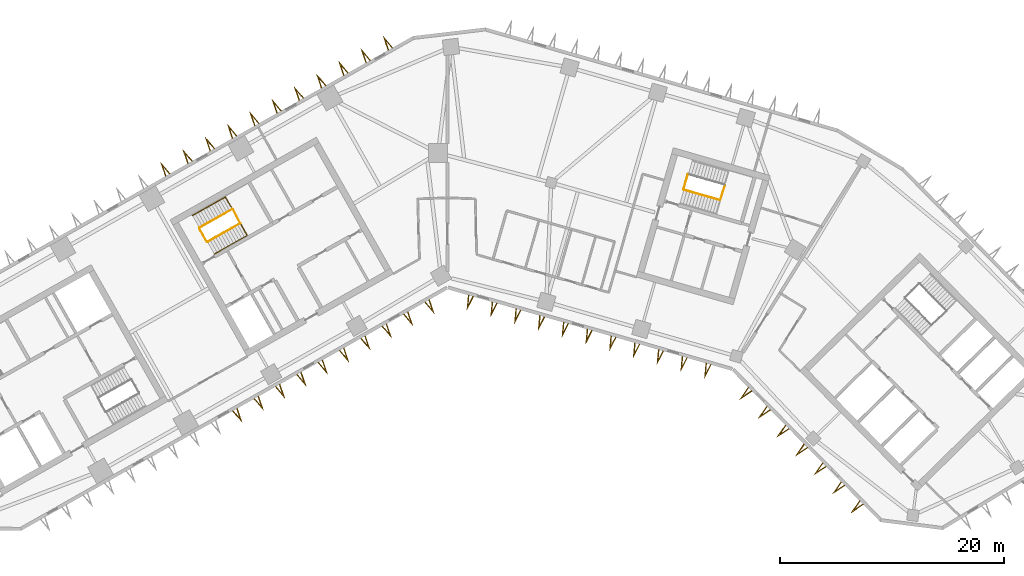
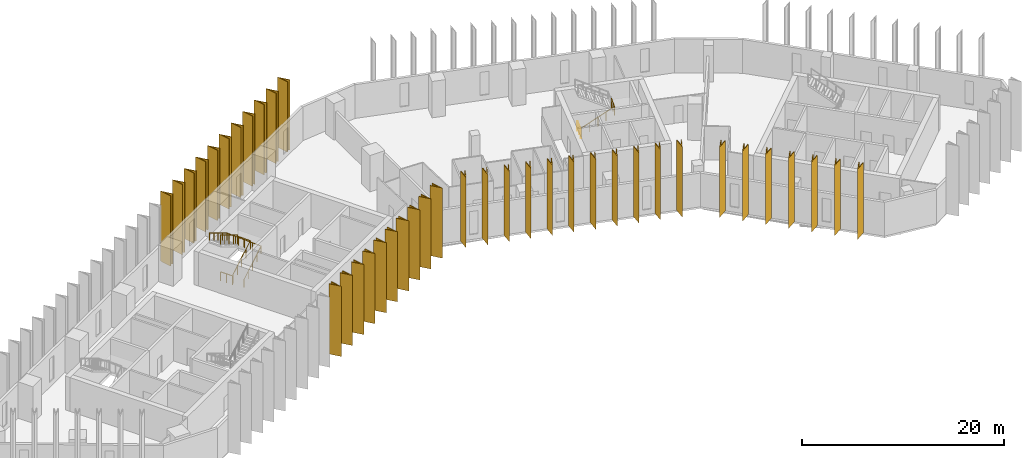
# One storey, part 10 of 11: 39 shading devices, 6 railings.
"""IFC4 building model written with IfcOpenShell, lengths in metres."""

from ifc_helpers import new_model, si_unit, direction, frame, origin, origin_2d, place, context, subcontext, project, spatial, polyline, circle, outline, extrude, material, type_object, element, save


model = new_model("IFC4")

# Units and contexts
model_context = context("Model", 3, precision=1e-05, world=origin(), true_north=direction((0.0, 1.0)))
body_context = subcontext(model_context, "Body", "Model", "MODEL_VIEW")
ifc_project = project(units=[si_unit("LENGTHUNIT", "METRE"), si_unit("AREAUNIT", "SQUARE_METRE"), si_unit("VOLUMEUNIT", "CUBIC_METRE"), si_unit("PLANEANGLEUNIT", "RADIAN"), si_unit("MASSUNIT", "GRAM", prefix="KILO")], contexts=[model_context])

# Site, building, storey
site_placement = place(None, origin())
site = spatial("IfcSite", under=ifc_project, at=site_placement, CompositionType="ELEMENT")
building_placement = place(site_placement, origin())
building = spatial("IfcBuilding", under=site, at=building_placement, Name="Binnacle Exchange Tower", CompositionType="ELEMENT")
storey_placement = place(building_placement, frame((0.0, 0.0, 123.5)))
storey = spatial("IfcBuildingStorey", under=building, at=storey_placement, Name="L25", CompositionType="ELEMENT", Elevation=123.5)

# Railings
ifc_material_1 = material(Name="Steel guard rail", Category="steel")
railing_type_1 = type_object("IfcRailingType", Name="STAIR GUARD 1100", PredefinedType="GUARDRAIL", material=ifc_material_1)
railing_1_placement = place(storey_placement, frame((-21.423828125, 52.07275390625, 0.169189453125)))
element("IfcRailing", 1, at=railing_1_placement, inside=storey, type_object=railing_type_1, Name="L25 STC1 stair guard 1", PredefinedType="GUARDRAIL", context=body_context, shape_type="SweptSolid", body=[
    extrude(circle(Radius=0.02392578125, at=origin_2d()), frame((0.0, 0.0, 1.076171875), z_axis=(0.744895141965, 0.421417011194, 0.517241655469), x_axis=(-0.49240197835, 0.870367905955, 0.0)), (0.0, 0.0, 1.0), 3.926025390625),
    extrude(circle(Radius=0.02392578125, at=origin_2d()), frame((2.924560546875, 1.654541015625, 3.10693359375), z_axis=(-0.461171632143, 0.887310952094, 0.0), x_axis=(-0.887310952094, -0.461171632143, 0.0)), (0.0, 0.0, 1.0), 1.40087890625),
    extrude(circle(Radius=0.02099609375, at=origin_2d()), origin(), (0.0, 0.0, 1.0), 1.052001953125),
    extrude(circle(Radius=0.02099609375, at=origin_2d()), frame((0.731201171875, 0.41357421875, 0.5078125)), (0.0, 0.0, 1.0), 1.052001953125),
    extrude(circle(Radius=0.02099609375, at=origin_2d()), frame((1.46240234375, 0.8271484375, 1.015380859375)), (0.0, 0.0, 1.0), 1.052001953125),
    extrude(circle(Radius=0.02099609375, at=origin_2d()), frame((2.193359375, 1.240966796875, 1.52294921875)), (0.0, 0.0, 1.0), 1.052001953125),
    extrude(circle(Radius=0.02099609375, at=origin_2d()), frame((2.924560546875, 1.654541015625, 2.03076171875)), (0.0, 0.0, 1.0), 1.052001953125),
    extrude(circle(Radius=0.02099609375, at=origin_2d()), frame((2.6015625, 2.27587890625, 2.03076171875)), (0.0, 0.0, 1.0), 1.052001953125),
    extrude(circle(Radius=0.02099609375, at=origin_2d()), frame((2.278564453125, 2.8974609375, 2.03076171875)), (0.0, 0.0, 1.0), 1.052001953125),
])
railing_2_placement = place(storey_placement, frame((-19.21337890625, 54.9892578125, 2.369140625)))
element("IfcRailing", 2, at=railing_2_placement, inside=storey, type_object=railing_type_1, Name="L25 STC1 stair guard 2", PredefinedType="GUARDRAIL", context=body_context, shape_type="SweptSolid", body=[
    extrude(circle(Radius=0.02392578125, at=origin_2d()), frame((0.0, 0.0, 1.076171875), z_axis=(-0.744867460262, -0.421436531824, 0.517265614832), x_axis=(0.492433119026, -0.870350287693, 0.0)), (0.0, 0.0, 1.0), 3.926025390625),
    extrude(circle(Radius=0.02099609375, at=origin_2d()), origin(), (0.0, 0.0, 1.0), 1.052001953125),
    extrude(circle(Radius=0.02099609375, at=origin_2d()), frame((-0.73095703125, -0.41357421875, 0.5078125)), (0.0, 0.0, 1.0), 1.052001953125),
    extrude(circle(Radius=0.02099609375, at=origin_2d()), frame((-1.462158203125, -0.8271484375, 1.015380859375)), (0.0, 0.0, 1.0), 1.052001953125),
    extrude(circle(Radius=0.02099609375, at=origin_2d()), frame((-2.193359375, -1.240966796875, 1.52294921875)), (0.0, 0.0, 1.0), 1.052001953125),
    extrude(circle(Radius=0.02099609375, at=origin_2d()), frame((-2.92431640625, -1.654541015625, 2.03076171875)), (0.0, 0.0, 1.0), 1.052001953125),
])
railing_3_placement = place(storey_placement, frame((-21.491943359375, 52.091552734375, 0.0)))
element("IfcRailing", 3, at=railing_3_placement, inside=storey, type_object=railing_type_1, Name="L25 STC1 stair guard 3", PredefinedType="GUARDRAIL", context=body_context, shape_type="SweptSolid", body=[
    extrude(circle(Radius=0.02392578125, at=origin_2d()), frame((0.0, 0.0, 1.076171875), z_axis=(-0.49241474071, 0.870360685654, 0.0), x_axis=(-0.870360685654, -0.49241474071, 0.0)), (0.0, 0.0, 1.0), 1.35009765625),
    extrude(circle(Radius=0.02099609375, at=origin_2d()), origin(), (0.0, 0.0, 1.0), 1.052001953125),
    extrude(circle(Radius=0.02099609375, at=origin_2d()), frame((-0.33251953125, 0.58740234375, 0.0)), (0.0, 0.0, 1.0), 1.052001953125),
    extrude(circle(Radius=0.02099609375, at=origin_2d()), frame((-0.664794921875, 1.175048828125, 0.0)), (0.0, 0.0, 1.0), 1.052001953125),
])
railing_4_placement = place(storey_placement, frame((21.086669921875, 56.71044921875, 0.169189453125)))
element("IfcRailing", 4, at=railing_4_placement, inside=storey, type_object=railing_type_1, Name="L25 STD1 stair guard 1", PredefinedType="GUARDRAIL", context=body_context, shape_type="SweptSolid", body=[
    extrude(circle(Radius=0.02392578125, at=origin_2d()), frame((0.0, 0.0, 1.076171875), z_axis=(0.82266146106, -0.235934506256, 0.517264950721), x_axis=(0.27568068152, 0.961249271436, 0.0)), (0.0, 0.0, 1.0), 3.926025390625),
    extrude(circle(Radius=0.02392578125, at=origin_2d()), frame((3.229736328125, -0.92626953125, 3.10693359375), z_axis=(0.309842533299, 0.950787886208, 0.0), x_axis=(-0.950787886208, 0.309842533299, 0.0)), (0.0, 0.0, 1.0), 1.40087890625),
    extrude(circle(Radius=0.02099609375, at=origin_2d()), origin(), (0.0, 0.0, 1.0), 1.052001953125),
    extrude(circle(Radius=0.02099609375, at=origin_2d()), frame((0.807373046875, -0.2314453125, 0.5078125)), (0.0, 0.0, 1.0), 1.052001953125),
    extrude(circle(Radius=0.02099609375, at=origin_2d()), frame((1.61474609375, -0.463134765625, 1.015380859375)), (0.0, 0.0, 1.0), 1.052001953125),
    extrude(circle(Radius=0.02099609375, at=origin_2d()), frame((2.42236328125, -0.69482421875, 1.52294921875)), (0.0, 0.0, 1.0), 1.052001953125),
    extrude(circle(Radius=0.02099609375, at=origin_2d()), frame((3.229736328125, -0.92626953125, 2.03076171875)), (0.0, 0.0, 1.0), 1.052001953125),
    extrude(circle(Radius=0.02099609375, at=origin_2d()), frame((3.44677734375, -0.26025390625, 2.03076171875)), (0.0, 0.0, 1.0), 1.052001953125),
    extrude(circle(Radius=0.02099609375, at=origin_2d()), frame((3.663818359375, 0.40576171875, 2.03076171875)), (0.0, 0.0, 1.0), 1.052001953125),
])
railing_5_placement = place(storey_placement, frame((21.05224609375, 56.772216796875, 0.0)))
element("IfcRailing", 5, at=railing_5_placement, inside=storey, type_object=railing_type_1, Name="L25 STD1 stair guard 3", PredefinedType="GUARDRAIL", context=body_context, shape_type="SweptSolid", body=[
    extrude(circle(Radius=0.02392578125, at=origin_2d()), frame((0.0, 0.0, 1.076171875), z_axis=(0.275795817769, 0.961216243569, 0.0), x_axis=(-0.961216243569, 0.275795817769, 0.0)), (0.0, 0.0, 1.0), 1.349853515625),
    extrude(circle(Radius=0.02099609375, at=origin_2d()), origin(), (0.0, 0.0, 1.0), 1.052001953125),
    extrude(circle(Radius=0.02099609375, at=origin_2d()), frame((0.18603515625, 0.64892578125, 0.0)), (0.0, 0.0, 1.0), 1.052001953125),
    extrude(circle(Radius=0.02099609375, at=origin_2d()), frame((0.372314453125, 1.297607421875, 0.0)), (0.0, 0.0, 1.0), 1.052001953125),
])
ifc_material_2 = material(Name="Steel handrail", Category="steel")
railing_type_2 = type_object("IfcRailingType", Name="STAIR HANDRAIL 900", PredefinedType="HANDRAIL", material=ifc_material_2)
railing_6_placement = place(storey_placement, frame((-20.808349609375, 50.984619140625, 0.169189453125)))
element("IfcRailing", 6, at=railing_6_placement, inside=storey, type_object=railing_type_2, Name="L25 STC1 stair handrail 1", PredefinedType="HANDRAIL", context=body_context, shape_type="SweptSolid", body=[
    extrude(circle(Radius=0.02392578125, at=origin_2d()), frame((0.0, 0.0, 0.8759765625), z_axis=(0.744895141965, 0.421417011194, 0.517241655469), x_axis=(-0.49240197835, 0.870367905955, 0.0)), (0.0, 0.0, 1.0), 3.926025390625),
    extrude(circle(Radius=0.02392578125, at=origin_2d()), frame((2.924560546875, 1.654541015625, 2.90673828125), z_axis=(-0.491962556146, 0.869564041126, 0.04279277663), x_axis=(-0.870361318571, -0.492413622004, 0.0)), (0.0, 0.0, 1.0), 3.95361328125),
    extrude(circle(Radius=0.02392578125, at=origin_2d()), frame((0.9794921875, 5.092529296875, 3.07568359375), z_axis=(-0.744895141965, -0.421417011194, 0.517241655469), x_axis=(0.49240197835, -0.870367905955, 0.0)), (0.0, 0.0, 1.0), 3.926025390625),
    extrude(circle(Radius=0.02099609375, at=origin_2d()), origin(), (0.0, 0.0, 1.0), 0.851806640625),
    extrude(circle(Radius=0.02099609375, at=origin_2d()), frame((0.731201171875, 0.41357421875, 0.5078125)), (0.0, 0.0, 1.0), 0.851806640625),
    extrude(circle(Radius=0.02099609375, at=origin_2d()), frame((1.46240234375, 0.8271484375, 1.015380859375)), (0.0, 0.0, 1.0), 0.851806640625),
    extrude(circle(Radius=0.02099609375, at=origin_2d()), frame((2.193359375, 1.240966796875, 1.52294921875)), (0.0, 0.0, 1.0), 0.851806640625),
    extrude(circle(Radius=0.02099609375, at=origin_2d()), frame((2.924560546875, 1.654541015625, 2.03076171875)), (0.0, 0.0, 1.0), 0.851806640625),
    extrude(circle(Radius=0.02099609375, at=origin_2d()), frame((2.438232421875, 2.51416015625, 2.072998046875)), (0.0, 0.0, 1.0), 0.851806640625),
    extrude(circle(Radius=0.02099609375, at=origin_2d()), frame((1.9521484375, 3.37353515625, 2.115234375)), (0.0, 0.0, 1.0), 0.851806640625),
    extrude(circle(Radius=0.02099609375, at=origin_2d()), frame((1.4658203125, 4.23291015625, 2.15771484375)), (0.0, 0.0, 1.0), 0.851806640625),
    extrude(circle(Radius=0.02099609375, at=origin_2d()), frame((0.9794921875, 5.092529296875, 2.199951171875)), (0.0, 0.0, 1.0), 0.851806640625),
    extrude(circle(Radius=0.02099609375, at=origin_2d()), frame((0.248291015625, 4.678955078125, 2.70751953125)), (0.0, 0.0, 1.0), 0.851806640625),
    extrude(circle(Radius=0.02099609375, at=origin_2d()), frame((-0.48291015625, 4.26513671875, 3.21533203125)), (0.0, 0.0, 1.0), 0.851806640625),
    extrude(circle(Radius=0.02099609375, at=origin_2d()), frame((-1.2138671875, 3.8515625, 3.72314453125)), (0.0, 0.0, 1.0), 0.851806640625),
    extrude(circle(Radius=0.02099609375, at=origin_2d()), frame((-1.945068359375, 3.43798828125, 4.230712890625)), (0.0, 0.0, 1.0), 0.851806640625),
])

# Shading devices
ifc_material_3 = material(Name="Bronze aluminium cladding", Category="aluminium")
shading_device_type = type_object("IfcShadingDeviceType", Name="V FIN 1300 DEEP x 8480 HIGH", PredefinedType="USERDEFINED", material=ifc_material_3)
shading_device_1_placement = place(storey_placement, origin())
element("IfcShadingDevice", 7, at=shading_device_1_placement, inside=storey, type_object=shading_device_type, Name="V fin FN-F03-01 L25", ObjectType="FIN", PredefinedType="USERDEFINED", context=body_context, shape_type="SweptSolid", body=[
    extrude(outline(polyline([(-4.88916015625, 69.40625), (-5.746826171875, 70.41455078125), (-5.32421875, 69.159912109375), (-5.25341796875, 69.2001953125), (-5.5380859375, 70.0458984375), (-4.9599609375, 69.3662109375), (-4.88916015625, 69.40625)])), origin(), (0.0, 0.0, 1.0), 8.47998046875),
])
shading_device_2_placement = place(storey_placement, origin())
element("IfcShadingDevice", 8, at=shading_device_2_placement, inside=storey, type_object=shading_device_type, Name="V fin FN-F03-02 L25", ObjectType="FIN", PredefinedType="USERDEFINED", context=body_context, shape_type="SweptSolid", body=[
    extrude(outline(polyline([(-6.87548828125, 68.2822265625), (-7.7333984375, 69.290771484375), (-7.310791015625, 68.0361328125), (-7.239990234375, 68.076171875), (-7.524658203125, 68.922119140625), (-6.946533203125, 68.2421875), (-6.87548828125, 68.2822265625)])), origin(), (0.0, 0.0, 1.0), 8.47998046875),
])
shading_device_3_placement = place(storey_placement, origin())
element("IfcShadingDevice", 9, at=shading_device_3_placement, inside=storey, type_object=shading_device_type, Name="V fin FN-F03-03 L25", ObjectType="FIN", PredefinedType="USERDEFINED", context=body_context, shape_type="SweptSolid", body=[
    extrude(outline(polyline([(-8.862060546875, 67.158203125), (-9.719970703125, 68.166748046875), (-9.29736328125, 66.912109375), (-9.226318359375, 66.9521484375), (-9.51123046875, 67.798095703125), (-8.93310546875, 67.1181640625), (-8.862060546875, 67.158203125)])), origin(), (0.0, 0.0, 1.0), 8.47998046875),
])
shading_device_4_placement = place(storey_placement, origin())
element("IfcShadingDevice", 10, at=shading_device_4_placement, inside=storey, type_object=shading_device_type, Name="V fin FN-F03-04 L25", ObjectType="FIN", PredefinedType="USERDEFINED", context=body_context, shape_type="SweptSolid", body=[
    extrude(outline(polyline([(-10.8486328125, 66.034423828125), (-11.70654296875, 67.042724609375), (-11.283935546875, 65.7880859375), (-11.212890625, 65.828369140625), (-11.497802734375, 66.674072265625), (-10.919677734375, 65.994384765625), (-10.8486328125, 66.034423828125)])), origin(), (0.0, 0.0, 1.0), 8.47998046875),
])
shading_device_5_placement = place(storey_placement, origin())
element("IfcShadingDevice", 11, at=shading_device_5_placement, inside=storey, type_object=shading_device_type, Name="V fin FN-F03-05 L25", ObjectType="FIN", PredefinedType="USERDEFINED", context=body_context, shape_type="SweptSolid", body=[
    extrude(outline(polyline([(-12.835205078125, 64.910400390625), (-13.693115234375, 65.9189453125), (-13.2705078125, 64.664306640625), (-13.199462890625, 64.704345703125), (-13.484375, 65.55029296875), (-12.906005859375, 64.870361328125), (-12.835205078125, 64.910400390625)])), origin(), (0.0, 0.0, 1.0), 8.47998046875),
])
shading_device_6_placement = place(storey_placement, origin())
element("IfcShadingDevice", 12, at=shading_device_6_placement, inside=storey, type_object=shading_device_type, Name="V fin FN-F03-06 L25", ObjectType="FIN", PredefinedType="USERDEFINED", context=body_context, shape_type="SweptSolid", body=[
    extrude(outline(polyline([(-14.82177734375, 63.78662109375), (-15.6796875, 64.794921875), (-15.257080078125, 63.540283203125), (-15.18603515625, 63.580322265625), (-15.470947265625, 64.42626953125), (-14.892578125, 63.746337890625), (-14.82177734375, 63.78662109375)])), origin(), (0.0, 0.0, 1.0), 8.47998046875),
])
shading_device_7_placement = place(storey_placement, origin())
element("IfcShadingDevice", 13, at=shading_device_7_placement, inside=storey, type_object=shading_device_type, Name="V fin FN-F03-07 L25", ObjectType="FIN", PredefinedType="USERDEFINED", context=body_context, shape_type="SweptSolid", body=[
    extrude(outline(polyline([(-16.808349609375, 62.66259765625), (-17.666015625, 63.6708984375), (-17.243408203125, 62.41650390625), (-17.172607421875, 62.45654296875), (-17.45751953125, 63.30224609375), (-16.879150390625, 62.62255859375), (-16.808349609375, 62.66259765625)])), origin(), (0.0, 0.0, 1.0), 8.47998046875),
])
shading_device_8_placement = place(storey_placement, origin())
element("IfcShadingDevice", 14, at=shading_device_8_placement, inside=storey, type_object=shading_device_type, Name="V fin FN-F03-08 L25", ObjectType="FIN", PredefinedType="USERDEFINED", context=body_context, shape_type="SweptSolid", body=[
    extrude(outline(polyline([(-18.794921875, 61.53857421875), (-19.652587890625, 62.547119140625), (-19.22998046875, 61.29248046875), (-19.1591796875, 61.33251953125), (-19.444091796875, 62.17822265625), (-18.86572265625, 61.49853515625), (-18.794921875, 61.53857421875)])), origin(), (0.0, 0.0, 1.0), 8.47998046875),
])
shading_device_9_placement = place(storey_placement, origin())
element("IfcShadingDevice", 15, at=shading_device_9_placement, inside=storey, type_object=shading_device_type, Name="V fin FN-F03-09 L25", ObjectType="FIN", PredefinedType="USERDEFINED", context=body_context, shape_type="SweptSolid", body=[
    extrude(outline(polyline([(-20.781494140625, 60.414794921875), (-21.639404296875, 61.423095703125), (-21.216796875, 60.16845703125), (-21.145751953125, 60.20849609375), (-21.4306640625, 61.054443359375), (-20.852294921875, 60.37451171875), (-20.781494140625, 60.414794921875)])), origin(), (0.0, 0.0, 1.0), 8.47998046875),
])
shading_device_10_placement = place(storey_placement, origin())
element("IfcShadingDevice", 16, at=shading_device_10_placement, inside=storey, type_object=shading_device_type, Name="V fin FN-F03-10 L25", ObjectType="FIN", PredefinedType="USERDEFINED", context=body_context, shape_type="SweptSolid", body=[
    extrude(outline(polyline([(-22.76806640625, 59.290771484375), (-23.625732421875, 60.29931640625), (-23.203125, 59.044677734375), (-23.13232421875, 59.084716796875), (-23.4169921875, 59.930419921875), (-22.8388671875, 59.250732421875), (-22.76806640625, 59.290771484375)])), origin(), (0.0, 0.0, 1.0), 8.47998046875),
])
shading_device_11_placement = place(storey_placement, origin())
element("IfcShadingDevice", 17, at=shading_device_11_placement, inside=storey, type_object=shading_device_type, Name="V fin FN-F03-11 L25", ObjectType="FIN", PredefinedType="USERDEFINED", context=body_context, shape_type="SweptSolid", body=[
    extrude(outline(polyline([(-24.754638671875, 58.166748046875), (-25.6123046875, 59.17529296875), (-25.189697265625, 57.920654296875), (-25.118896484375, 57.960693359375), (-25.40380859375, 58.806396484375), (-24.825439453125, 58.126708984375), (-24.754638671875, 58.166748046875)])), origin(), (0.0, 0.0, 1.0), 8.47998046875),
])
shading_device_12_placement = place(storey_placement, origin())
element("IfcShadingDevice", 18, at=shading_device_12_placement, inside=storey, type_object=shading_device_type, Name="V fin FN-F07-10 L25", ObjectType="FIN", PredefinedType="USERDEFINED", context=body_context, shape_type="SweptSolid", body=[
    extrude(outline(polyline([(-19.192626953125, 36.968994140625), (-18.334716796875, 35.960693359375), (-18.75732421875, 37.215087890625), (-18.828369140625, 37.175048828125), (-18.54345703125, 36.329345703125), (-19.12158203125, 37.009033203125), (-19.192626953125, 36.968994140625)])), origin(), (0.0, 0.0, 1.0), 8.47998046875),
])
shading_device_13_placement = place(storey_placement, origin())
element("IfcShadingDevice", 19, at=shading_device_13_placement, inside=storey, type_object=shading_device_type, Name="V fin FN-F07-11 L25", ObjectType="FIN", PredefinedType="USERDEFINED", context=body_context, shape_type="SweptSolid", body=[
    extrude(outline(polyline([(-17.28759765625, 38.046875), (-16.429931640625, 37.038330078125), (-16.8525390625, 38.29296875), (-16.92333984375, 38.2529296875), (-16.638671875, 37.406982421875), (-17.216796875, 38.0869140625), (-17.28759765625, 38.046875)])), origin(), (0.0, 0.0, 1.0), 8.47998046875),
])
shading_device_14_placement = place(storey_placement, origin())
element("IfcShadingDevice", 20, at=shading_device_14_placement, inside=storey, type_object=shading_device_type, Name="V fin FN-F07-12 L25", ObjectType="FIN", PredefinedType="USERDEFINED", context=body_context, shape_type="SweptSolid", body=[
    extrude(outline(polyline([(-15.3828125, 39.12451171875), (-14.525146484375, 38.1162109375), (-14.94775390625, 39.37060546875), (-15.0185546875, 39.33056640625), (-14.73388671875, 38.48486328125), (-15.31201171875, 39.16455078125), (-15.3828125, 39.12451171875)])), origin(), (0.0, 0.0, 1.0), 8.47998046875),
])
shading_device_15_placement = place(storey_placement, origin())
element("IfcShadingDevice", 21, at=shading_device_15_placement, inside=storey, type_object=shading_device_type, Name="V fin FN-F07-13 L25", ObjectType="FIN", PredefinedType="USERDEFINED", context=body_context, shape_type="SweptSolid", body=[
    extrude(outline(polyline([(-13.477783203125, 40.2021484375), (-12.6201171875, 39.19384765625), (-13.042724609375, 40.448486328125), (-13.113525390625, 40.408203125), (-12.828857421875, 39.5625), (-13.406982421875, 40.2421875), (-13.477783203125, 40.2021484375)])), origin(), (0.0, 0.0, 1.0), 8.47998046875),
])
shading_device_16_placement = place(storey_placement, origin())
element("IfcShadingDevice", 22, at=shading_device_16_placement, inside=storey, type_object=shading_device_type, Name="V fin FN-F07-14 L25", ObjectType="FIN", PredefinedType="USERDEFINED", context=body_context, shape_type="SweptSolid", body=[
    extrude(outline(polyline([(-11.572998046875, 41.280029296875), (-10.715087890625, 40.271484375), (-11.1376953125, 41.526123046875), (-11.208740234375, 41.486083984375), (-10.923828125, 40.640380859375), (-11.502197265625, 41.320068359375), (-11.572998046875, 41.280029296875)])), origin(), (0.0, 0.0, 1.0), 8.47998046875),
])
shading_device_17_placement = place(storey_placement, origin())
element("IfcShadingDevice", 23, at=shading_device_17_placement, inside=storey, type_object=shading_device_type, Name="V fin FN-F07-15 L25", ObjectType="FIN", PredefinedType="USERDEFINED", context=body_context, shape_type="SweptSolid", body=[
    extrude(outline(polyline([(-9.668212890625, 42.357666015625), (-8.810302734375, 41.349365234375), (-9.23291015625, 42.60400390625), (-9.303955078125, 42.563720703125), (-9.01904296875, 41.718017578125), (-9.597412109375, 42.397705078125), (-9.668212890625, 42.357666015625)])), origin(), (0.0, 0.0, 1.0), 8.47998046875),
])
shading_device_18_placement = place(storey_placement, origin())
element("IfcShadingDevice", 24, at=shading_device_18_placement, inside=storey, type_object=shading_device_type, Name="V fin FN-F07-16 L25", ObjectType="FIN", PredefinedType="USERDEFINED", context=body_context, shape_type="SweptSolid", body=[
    extrude(outline(polyline([(-7.76318359375, 43.435302734375), (-6.905517578125, 42.427001953125), (-7.327880859375, 43.681640625), (-7.39892578125, 43.6416015625), (-7.114013671875, 42.795654296875), (-7.6923828125, 43.4755859375), (-7.76318359375, 43.435302734375)])), origin(), (0.0, 0.0, 1.0), 8.47998046875),
])
shading_device_19_placement = place(storey_placement, origin())
element("IfcShadingDevice", 25, at=shading_device_19_placement, inside=storey, type_object=shading_device_type, Name="V fin FN-F07-17 L25", ObjectType="FIN", PredefinedType="USERDEFINED", context=body_context, shape_type="SweptSolid", body=[
    extrude(outline(polyline([(-5.8583984375, 44.51318359375), (-5.00048828125, 43.5048828125), (-5.423095703125, 44.759521484375), (-5.494140625, 44.71923828125), (-5.209228515625, 43.87353515625), (-5.78759765625, 44.55322265625), (-5.8583984375, 44.51318359375)])), origin(), (0.0, 0.0, 1.0), 8.47998046875),
])
shading_device_20_placement = place(storey_placement, origin())
element("IfcShadingDevice", 26, at=shading_device_20_placement, inside=storey, type_object=shading_device_type, Name="V fin FN-F07-18 L25", ObjectType="FIN", PredefinedType="USERDEFINED", context=body_context, shape_type="SweptSolid", body=[
    extrude(outline(polyline([(-3.95361328125, 45.5908203125), (-3.095703125, 44.58251953125), (-3.518310546875, 45.837158203125), (-3.589111328125, 45.797119140625), (-3.304443359375, 44.951171875), (-3.882568359375, 45.631103515625), (-3.95361328125, 45.5908203125)])), origin(), (0.0, 0.0, 1.0), 8.47998046875),
])
shading_device_21_placement = place(storey_placement, origin())
element("IfcShadingDevice", 27, at=shading_device_21_placement, inside=storey, type_object=shading_device_type, Name="V fin FN-F07-19 L25", ObjectType="FIN", PredefinedType="USERDEFINED", context=body_context, shape_type="SweptSolid", body=[
    extrude(outline(polyline([(-2.048583984375, 46.668701171875), (-1.19091796875, 45.660400390625), (-1.61328125, 46.914794921875), (-1.684326171875, 46.874755859375), (-1.3994140625, 46.029052734375), (-1.977783203125, 46.708740234375), (-2.048583984375, 46.668701171875)])), origin(), (0.0, 0.0, 1.0), 8.47998046875),
])
shading_device_22_placement = place(storey_placement, origin())
element("IfcShadingDevice", 28, at=shading_device_22_placement, inside=storey, type_object=shading_device_type, Name="V fin FN-F08-01 L25", ObjectType="FIN", PredefinedType="USERDEFINED", context=body_context, shape_type="SweptSolid", body=[
    extrude(outline(polyline([(1.837890625, 47.31689453125), (1.719970703125, 45.998291015625), (2.318603515625, 47.17919921875), (2.240234375, 47.201416015625), (1.836669921875, 46.405517578125), (1.916259765625, 47.29443359375), (1.837890625, 47.31689453125)])), origin(), (0.0, 0.0, 1.0), 8.47998046875),
])
shading_device_23_placement = place(storey_placement, origin())
element("IfcShadingDevice", 29, at=shading_device_23_placement, inside=storey, type_object=shading_device_type, Name="V fin FN-F08-02 L25", ObjectType="FIN", PredefinedType="USERDEFINED", context=body_context, shape_type="SweptSolid", body=[
    extrude(outline(polyline([(3.957763671875, 46.708984375), (3.839599609375, 45.390625), (4.438232421875, 46.5712890625), (4.360107421875, 46.59375), (3.956298828125, 45.7978515625), (4.035888671875, 46.686767578125), (3.957763671875, 46.708984375)])), origin(), (0.0, 0.0, 1.0), 8.47998046875),
])
shading_device_24_placement = place(storey_placement, origin())
element("IfcShadingDevice", 30, at=shading_device_24_placement, inside=storey, type_object=shading_device_type, Name="V fin FN-F08-03 L25", ObjectType="FIN", PredefinedType="USERDEFINED", context=body_context, shape_type="SweptSolid", body=[
    extrude(outline(polyline([(6.077392578125, 46.101318359375), (5.95947265625, 44.78271484375), (6.55810546875, 45.96337890625), (6.479736328125, 45.98583984375), (6.076171875, 45.18994140625), (6.15576171875, 46.078857421875), (6.077392578125, 46.101318359375)])), origin(), (0.0, 0.0, 1.0), 8.47998046875),
])
shading_device_25_placement = place(storey_placement, origin())
element("IfcShadingDevice", 31, at=shading_device_25_placement, inside=storey, type_object=shading_device_type, Name="V fin FN-F08-04 L25", ObjectType="FIN", PredefinedType="USERDEFINED", context=body_context, shape_type="SweptSolid", body=[
    extrude(outline(polyline([(8.197021484375, 45.493408203125), (8.0791015625, 44.175048828125), (8.677734375, 45.355712890625), (8.599365234375, 45.378173828125), (8.19580078125, 44.582275390625), (8.275390625, 45.47119140625), (8.197021484375, 45.493408203125)])), origin(), (0.0, 0.0, 1.0), 8.47998046875),
])
shading_device_26_placement = place(storey_placement, origin())
element("IfcShadingDevice", 32, at=shading_device_26_placement, inside=storey, type_object=shading_device_type, Name="V fin FN-F08-05 L25", ObjectType="FIN", PredefinedType="USERDEFINED", context=body_context, shape_type="SweptSolid", body=[
    extrude(outline(polyline([(10.316650390625, 44.8857421875), (10.19873046875, 43.567138671875), (10.79736328125, 44.747802734375), (10.718994140625, 44.770263671875), (10.3154296875, 43.974365234375), (10.39501953125, 44.86328125), (10.316650390625, 44.8857421875)])), origin(), (0.0, 0.0, 1.0), 8.47998046875),
])
shading_device_27_placement = place(storey_placement, origin())
element("IfcShadingDevice", 33, at=shading_device_27_placement, inside=storey, type_object=shading_device_type, Name="V fin FN-F08-06 L25", ObjectType="FIN", PredefinedType="USERDEFINED", context=body_context, shape_type="SweptSolid", body=[
    extrude(outline(polyline([(12.436279296875, 44.27783203125), (12.318359375, 42.95947265625), (12.9169921875, 44.14013671875), (12.838623046875, 44.16259765625), (12.43505859375, 43.36669921875), (12.5146484375, 44.255615234375), (12.436279296875, 44.27783203125)])), origin(), (0.0, 0.0, 1.0), 8.47998046875),
])
shading_device_28_placement = place(storey_placement, origin())
element("IfcShadingDevice", 34, at=shading_device_28_placement, inside=storey, type_object=shading_device_type, Name="V fin FN-F08-07 L25", ObjectType="FIN", PredefinedType="USERDEFINED", context=body_context, shape_type="SweptSolid", body=[
    extrude(outline(polyline([(14.55615234375, 43.670166015625), (14.43798828125, 42.3515625), (15.03662109375, 43.5322265625), (14.95849609375, 43.5546875), (14.5546875, 42.7587890625), (14.634521484375, 43.647705078125), (14.55615234375, 43.670166015625)])), origin(), (0.0, 0.0, 1.0), 8.47998046875),
])
shading_device_29_placement = place(storey_placement, origin())
element("IfcShadingDevice", 35, at=shading_device_29_placement, inside=storey, type_object=shading_device_type, Name="V fin FN-F08-08 L25", ObjectType="FIN", PredefinedType="USERDEFINED", context=body_context, shape_type="SweptSolid", body=[
    extrude(outline(polyline([(16.67578125, 43.062255859375), (16.557861328125, 41.743896484375), (17.156494140625, 42.924560546875), (17.078125, 42.947021484375), (16.674560546875, 42.15087890625), (16.754150390625, 43.039794921875), (16.67578125, 43.062255859375)])), origin(), (0.0, 0.0, 1.0), 8.47998046875),
])
shading_device_30_placement = place(storey_placement, origin())
element("IfcShadingDevice", 36, at=shading_device_30_placement, inside=storey, type_object=shading_device_type, Name="V fin FN-F08-09 L25", ObjectType="FIN", PredefinedType="USERDEFINED", context=body_context, shape_type="SweptSolid", body=[
    extrude(outline(polyline([(18.79541015625, 42.454345703125), (18.677490234375, 41.135986328125), (19.276123046875, 42.316650390625), (19.19775390625, 42.339111328125), (18.794189453125, 41.543212890625), (18.873779296875, 42.431884765625), (18.79541015625, 42.454345703125)])), origin(), (0.0, 0.0, 1.0), 8.47998046875),
])
shading_device_31_placement = place(storey_placement, origin())
element("IfcShadingDevice", 37, at=shading_device_31_placement, inside=storey, type_object=shading_device_type, Name="V fin FN-F08-10 L25", ObjectType="FIN", PredefinedType="USERDEFINED", context=body_context, shape_type="SweptSolid", body=[
    extrude(outline(polyline([(20.9150390625, 41.8466796875), (20.797119140625, 40.528076171875), (21.395751953125, 41.708740234375), (21.3173828125, 41.731201171875), (20.913818359375, 40.935302734375), (20.993408203125, 41.82421875), (20.9150390625, 41.8466796875)])), origin(), (0.0, 0.0, 1.0), 8.47998046875),
])
shading_device_32_placement = place(storey_placement, origin())
element("IfcShadingDevice", 38, at=shading_device_32_placement, inside=storey, type_object=shading_device_type, Name="V fin FN-F08-11 L25", ObjectType="FIN", PredefinedType="USERDEFINED", context=body_context, shape_type="SweptSolid", body=[
    extrude(outline(polyline([(23.034912109375, 41.23876953125), (22.916748046875, 39.92041015625), (23.515380859375, 41.10107421875), (23.43701171875, 41.123291015625), (23.033447265625, 40.327392578125), (23.113037109375, 41.21630859375), (23.034912109375, 41.23876953125)])), origin(), (0.0, 0.0, 1.0), 8.47998046875),
])
shading_device_33_placement = place(storey_placement, origin())
element("IfcShadingDevice", 39, at=shading_device_33_placement, inside=storey, type_object=shading_device_type, Name="V fin FN-F09-01 L25", ObjectType="FIN", PredefinedType="USERDEFINED", context=body_context, shape_type="SweptSolid", body=[
    extrude(outline(polyline([(26.810791015625, 39.093505859375), (26.05859375, 38.00390625), (27.1611328125, 38.73681640625), (27.10400390625, 38.794921875), (26.36083984375, 38.30078125), (26.867919921875, 39.035400390625), (26.810791015625, 39.093505859375)])), origin(), (0.0, 0.0, 1.0), 8.47998046875),
])
shading_device_34_placement = place(storey_placement, origin())
element("IfcShadingDevice", 40, at=shading_device_34_placement, inside=storey, type_object=shading_device_type, Name="V fin FN-F09-02 L25", ObjectType="FIN", PredefinedType="USERDEFINED", context=body_context, shape_type="SweptSolid", body=[
    extrude(outline(polyline([(28.467529296875, 37.407470703125), (27.715576171875, 36.31787109375), (28.818115234375, 37.05078125), (28.760986328125, 37.10888671875), (28.017578125, 36.61474609375), (28.524658203125, 37.349365234375), (28.467529296875, 37.407470703125)])), origin(), (0.0, 0.0, 1.0), 8.47998046875),
])
shading_device_35_placement = place(storey_placement, origin())
element("IfcShadingDevice", 41, at=shading_device_35_placement, inside=storey, type_object=shading_device_type, Name="V fin FN-F09-03 L25", ObjectType="FIN", PredefinedType="USERDEFINED", context=body_context, shape_type="SweptSolid", body=[
    extrude(outline(polyline([(30.12451171875, 35.721435546875), (29.372314453125, 34.632080078125), (30.474853515625, 35.364990234375), (30.417724609375, 35.423095703125), (29.674560546875, 34.928955078125), (30.181396484375, 35.663330078125), (30.12451171875, 35.721435546875)])), origin(), (0.0, 0.0, 1.0), 8.47998046875),
])
shading_device_36_placement = place(storey_placement, origin())
element("IfcShadingDevice", 42, at=shading_device_36_placement, inside=storey, type_object=shading_device_type, Name="V fin FN-F09-04 L25", ObjectType="FIN", PredefinedType="USERDEFINED", context=body_context, shape_type="SweptSolid", body=[
    extrude(outline(polyline([(31.78125, 34.035400390625), (31.029296875, 32.94580078125), (32.131591796875, 33.6787109375), (32.07470703125, 33.73681640625), (31.331298828125, 33.242919921875), (31.83837890625, 33.977294921875), (31.78125, 34.035400390625)])), origin(), (0.0, 0.0, 1.0), 8.47998046875),
])
shading_device_37_placement = place(storey_placement, origin())
element("IfcShadingDevice", 43, at=shading_device_37_placement, inside=storey, type_object=shading_device_type, Name="V fin FN-F09-05 L25", ObjectType="FIN", PredefinedType="USERDEFINED", context=body_context, shape_type="SweptSolid", body=[
    extrude(outline(polyline([(33.43798828125, 32.349365234375), (32.68603515625, 31.260009765625), (33.78857421875, 31.992919921875), (33.7314453125, 32.05078125), (32.98828125, 31.556884765625), (33.4951171875, 32.291259765625), (33.43798828125, 32.349365234375)])), origin(), (0.0, 0.0, 1.0), 8.47998046875),
])
shading_device_38_placement = place(storey_placement, origin())
element("IfcShadingDevice", 44, at=shading_device_38_placement, inside=storey, type_object=shading_device_type, Name="V fin FN-F09-06 L25", ObjectType="FIN", PredefinedType="USERDEFINED", context=body_context, shape_type="SweptSolid", body=[
    extrude(outline(polyline([(35.094970703125, 30.663330078125), (34.343017578125, 29.573974609375), (35.4453125, 30.306884765625), (35.38818359375, 30.364990234375), (34.64501953125, 29.870849609375), (35.152099609375, 30.605224609375), (35.094970703125, 30.663330078125)])), origin(), (0.0, 0.0, 1.0), 8.47998046875),
])
shading_device_39_placement = place(storey_placement, origin())
element("IfcShadingDevice", 45, at=shading_device_39_placement, inside=storey, type_object=shading_device_type, Name="V fin FN-F09-07 L25", ObjectType="FIN", PredefinedType="USERDEFINED", context=body_context, shape_type="SweptSolid", body=[
    extrude(outline(polyline([(36.751708984375, 28.977294921875), (35.999755859375, 27.887939453125), (37.102294921875, 28.620849609375), (37.045166015625, 28.678955078125), (36.302001953125, 28.184814453125), (36.808837890625, 28.919189453125), (36.751708984375, 28.977294921875)])), origin(), (0.0, 0.0, 1.0), 8.47998046875),
])

save(model, "model.ifc")
